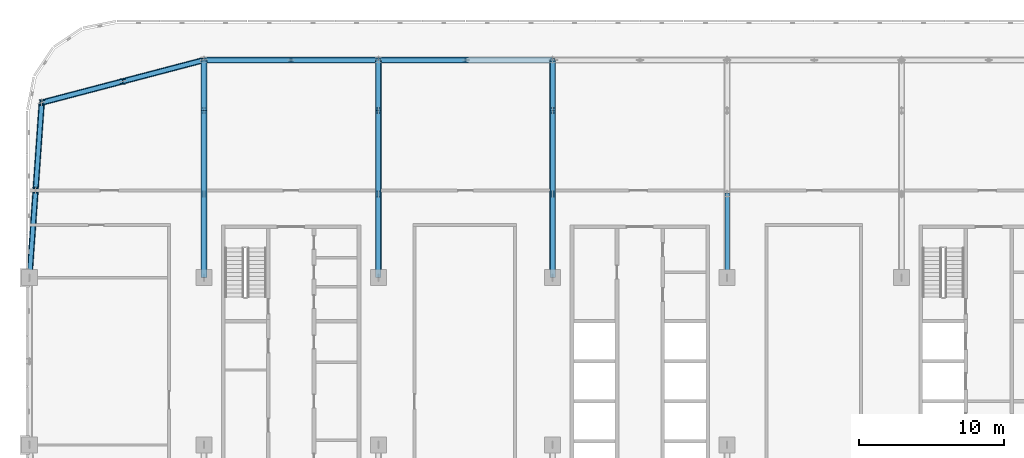
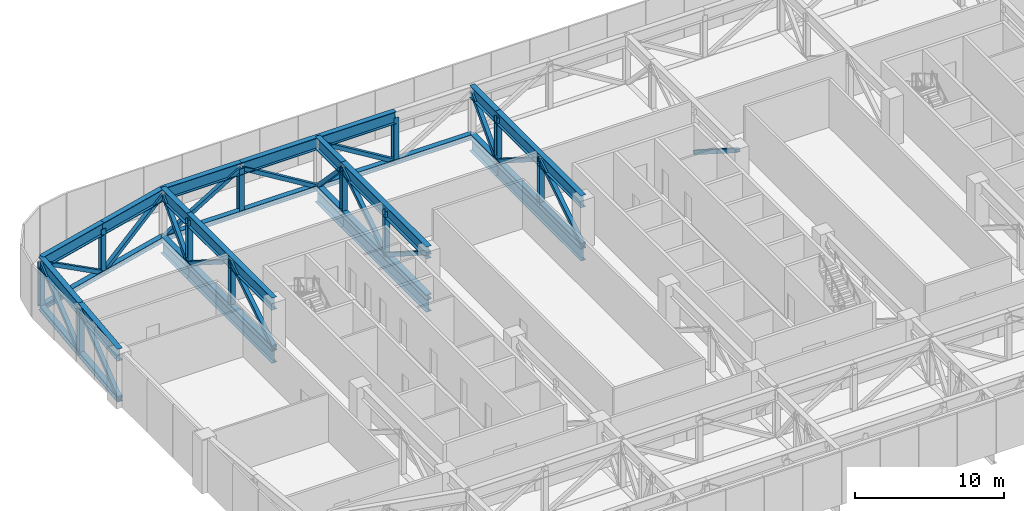
# One storey, part 8 of 28: 52 members, 6 beams.
"""IFC4 building model written with IfcOpenShell, lengths in metres."""

from ifc_helpers import new_model, si_unit, direction, frame, origin, origin_2d, place, context, subcontext, project, spatial, hollow_rectangle, i_section, extrude, material, material_profile, profile_set, type_object, element, save


model = new_model("IFC4")

# Units and contexts
model_context = context("Model", 3, precision=1e-05, world=origin(), true_north=direction((0.0, 1.0)))
body_context = subcontext(model_context, "Body", "Model", "MODEL_VIEW")
ifc_project = project(units=[si_unit("LENGTHUNIT", "METRE"), si_unit("AREAUNIT", "SQUARE_METRE"), si_unit("VOLUMEUNIT", "CUBIC_METRE"), si_unit("PLANEANGLEUNIT", "RADIAN"), si_unit("MASSUNIT", "GRAM", prefix="KILO")], contexts=[model_context])

# Site, building, storey
site_placement = place(None, origin())
site = spatial("IfcSite", under=ifc_project, at=site_placement, CompositionType="ELEMENT")
building_placement = place(site_placement, origin())
building = spatial("IfcBuilding", under=site, at=building_placement, Name="Mahtab Terrace Research Tower", CompositionType="ELEMENT")
storey_placement = place(building_placement, frame((0.0, 0.0, 224.300048828125)))
storey = spatial("IfcBuildingStorey", under=building, at=storey_placement, Name="L54", CompositionType="ELEMENT", Elevation=224.300048828125)

# Members
ifc_material_1 = material(Name="Steel ASTM A500 Gr C", Category="steel")
ifc_material_profile_1 = material_profile(ifc_material_1, hollow_rectangle(XDim=0.3046875, YDim=0.3046875, WallThickness=0.0126953125, at=origin_2d()), Name="HSS12X12X1/2")
ifc_profile_set_1 = profile_set([ifc_material_profile_1], Name="Steel ASTM A500 Gr C")
member_type_1 = type_object("IfcMemberType", Name="HSS 12x12x1/2 brace TD121212", PredefinedType="BRACE", material=ifc_profile_set_1)
for number, where, z_axis, x_axis, name in (
    (1, (-42.0, 11.5, -0.18798828125), (0.059979554478, 0.853834742624, 0.517077059376), (-0.997541755211, 0.070074578913, 0.0), "Transfer truss T6 diagonal 004"),
    (2, (-41.576904296875, 17.52294921875, -0.18798828125), (0.059945068637, 0.8538365146, 0.517078132473), (-0.997544580937, 0.07003434188, 0.0), "Transfer truss T6 diagonal 006"),
):
    element("IfcMember", number, at=place(storey_placement, frame(where, z_axis=z_axis, x_axis=x_axis)), inside=storey, type_object=member_type_1, Name=name, PredefinedType="BRACE", context=body_context, shape_type="SweptSolid", body=[
        extrude(hollow_rectangle(XDim=0.3046875, YDim=0.3046875, WallThickness=0.0126953125, at=origin_2d()), origin(), (0.0, 0.0, 1.0), 7.053955078125),
    ])
member_1_placement = place(storey_placement, frame((-35.576904296875, 25.009033203125, -0.18798828125), z_axis=(-0.817439342665, -0.214450795859, 0.534606188908), x_axis=(0.253757500466, -0.967267869288, 0.0)))
element("IfcMember", 3, at=member_1_placement, inside=storey, type_object=member_type_1, Name="Transfer truss T6 diagonal 009", PredefinedType="BRACE", context=body_context, shape_type="SweptSolid", body=[
    extrude(hollow_rectangle(XDim=0.3046875, YDim=0.3046875, WallThickness=0.0126953125, at=origin_2d()), origin(), (0.0, 0.0, 1.0), 6.82275390625),
])
for number, where, z_axis, x_axis, name in (
    (4, (-30.0, 11.5, -0.18798828125), (0.0, 0.844434215401, 0.535659272168), (-1.0, 0.0, 0.0), "Transfer truss T6 diagonal 023"),
    (5, (-30.0, 23.0, -0.18798828125), (0.0, -0.844434215401, 0.535659272168), (1.0, 0.0, 0.0), "Transfer truss T6 diagonal 024"),
):
    element("IfcMember", number, at=place(storey_placement, frame(where, z_axis=z_axis, x_axis=x_axis)), inside=storey, type_object=member_type_1, Name=name, PredefinedType="BRACE", context=body_context, shape_type="SweptSolid", body=[
        extrude(hollow_rectangle(XDim=0.3046875, YDim=0.3046875, WallThickness=0.0126953125, at=origin_2d()), origin(), (0.0, 0.0, 1.0), 6.809326171875),
    ])
member_2_placement = place(storey_placement, frame((-30.0, 23.0, -0.18798828125), z_axis=(0.0, 0.689564383455, 0.724224385857), x_axis=(-1.0, 0.0, 0.0)))
element("IfcMember", 6, at=member_2_placement, inside=storey, type_object=member_type_1, Name="Transfer truss T6 diagonal 025", PredefinedType="BRACE", context=body_context, shape_type="SweptSolid", body=[
    extrude(hollow_rectangle(XDim=0.3046875, YDim=0.3046875, WallThickness=0.0126953125, at=origin_2d()), origin(), (0.0, 0.0, 1.0), 5.036376953125),
])
member_3_placement = place(storey_placement, frame((-35.576904296875, 25.009033203125, -0.18798828125), z_axis=(0.817408645906, 0.214559481717, 0.534609515818), x_axis=(-0.25388673963, 0.967233954863, 0.0)))
element("IfcMember", 7, at=member_3_placement, inside=storey, type_object=member_type_1, Name="Transfer truss T6 diagonal 026", PredefinedType="BRACE", context=body_context, shape_type="SweptSolid", body=[
    extrude(hollow_rectangle(XDim=0.3046875, YDim=0.3046875, WallThickness=0.0126953125, at=origin_2d()), origin(), (0.0, 0.0, 1.0), 6.82275390625),
])
member_4_placement = place(storey_placement, frame((-30.0, 26.472900390625, -0.18798828125), z_axis=(0.854496522168, 0.0, 0.519457114306), x_axis=(0.0, 1.0, 0.0)))
element("IfcMember", 8, at=member_4_placement, inside=storey, type_object=member_type_1, Name="Transfer truss T6 diagonal 030", PredefinedType="BRACE", context=body_context, shape_type="SweptSolid", body=[
    extrude(hollow_rectangle(XDim=0.3046875, YDim=0.3046875, WallThickness=0.0126953125, at=origin_2d()), origin(), (0.0, 0.0, 1.0), 7.021728515625),
])
for number, where, z_axis, x_axis, name in (
    (9, (-18.0, 17.25, -0.18798828125), (0.0, -0.844434215401, 0.535659272168), (1.0, 0.0, 0.0), "Transfer truss T6 diagonal 042"),
    (10, (-18.0, 17.25, -0.18798828125), (0.0, 0.844434215401, 0.535659272168), (-1.0, 0.0, 0.0), "Transfer truss T6 diagonal 043"),
):
    element("IfcMember", number, at=place(storey_placement, frame(where, z_axis=z_axis, x_axis=x_axis)), inside=storey, type_object=member_type_1, Name=name, PredefinedType="BRACE", context=body_context, shape_type="SweptSolid", body=[
        extrude(hollow_rectangle(XDim=0.3046875, YDim=0.3046875, WallThickness=0.0126953125, at=origin_2d()), origin(), (0.0, 0.0, 1.0), 6.809326171875),
    ])
member_5_placement = place(storey_placement, frame((-18.0, 26.472900390625, -0.18798828125), z_axis=(0.0, -0.689564383455, 0.724224385857), x_axis=(1.0, 0.0, 0.0)))
element("IfcMember", 11, at=member_5_placement, inside=storey, type_object=member_type_1, Name="Transfer truss T6 diagonal 044", PredefinedType="BRACE", context=body_context, shape_type="SweptSolid", body=[
    extrude(hollow_rectangle(XDim=0.3046875, YDim=0.3046875, WallThickness=0.0126953125, at=origin_2d()), origin(), (0.0, 0.0, 1.0), 5.036376953125),
])
for number, where, z_axis, x_axis, name in (
    (12, (-18.0, 26.472900390625, -0.18798828125), (-0.854496522168, 0.0, 0.519457114306), (0.0, -1.0, 0.0), "Transfer truss T6 diagonal 045"),
    (13, (-12.0, 26.472900390625, -0.18798828125), (-0.854496522168, 0.0, 0.519457114306), (0.0, -1.0, 0.0), "Transfer truss T6 diagonal 049"),
):
    element("IfcMember", number, at=place(storey_placement, frame(where, z_axis=z_axis, x_axis=x_axis)), inside=storey, type_object=member_type_1, Name=name, PredefinedType="BRACE", context=body_context, shape_type="SweptSolid", body=[
        extrude(hollow_rectangle(XDim=0.3046875, YDim=0.3046875, WallThickness=0.0126953125, at=origin_2d()), origin(), (0.0, 0.0, 1.0), 7.021728515625),
    ])
for number, where, z_axis, x_axis, name in (
    (14, (-6.0, 11.5, -0.18798828125), (0.0, 0.844434215401, 0.535659272168), (-1.0, 0.0, 0.0), "Transfer truss T6 diagonal 061"),
    (15, (-6.0, 23.0, -0.18798828125), (0.0, -0.844434215401, 0.535659272168), (1.0, 0.0, 0.0), "Transfer truss T6 diagonal 062"),
):
    element("IfcMember", number, at=place(storey_placement, frame(where, z_axis=z_axis, x_axis=x_axis)), inside=storey, type_object=member_type_1, Name=name, PredefinedType="BRACE", context=body_context, shape_type="SweptSolid", body=[
        extrude(hollow_rectangle(XDim=0.3046875, YDim=0.3046875, WallThickness=0.0126953125, at=origin_2d()), origin(), (0.0, 0.0, 1.0), 6.809326171875),
    ])
member_6_placement = place(storey_placement, frame((-6.0, 23.0, -0.18798828125), z_axis=(0.0, 0.689564383455, 0.724224385857), x_axis=(-1.0, 0.0, 0.0)))
element("IfcMember", 16, at=member_6_placement, inside=storey, type_object=member_type_1, Name="Transfer truss T6 diagonal 063", PredefinedType="BRACE", context=body_context, shape_type="SweptSolid", body=[
    extrude(hollow_rectangle(XDim=0.3046875, YDim=0.3046875, WallThickness=0.0126953125, at=origin_2d()), origin(), (0.0, 0.0, 1.0), 5.036376953125),
])
member_7_placement = place(storey_placement, frame((6.0, 17.25, -0.18798828125), z_axis=(0.0, -0.844434215401, 0.535659272168), x_axis=(1.0, 0.0, 0.0)))
element("IfcMember", 17, at=member_7_placement, inside=storey, type_object=member_type_1, Name="Transfer truss T6 diagonal 080", PredefinedType="BRACE", context=body_context, shape_type="SweptSolid", body=[
    extrude(hollow_rectangle(XDim=0.3046875, YDim=0.3046875, WallThickness=0.0126953125, at=origin_2d()), origin(), (0.0, 0.0, 1.0), 6.809326171875),
])
ifc_material_2 = material(Name="Steel ASTM A992 Gr 50", Category="steel")
ifc_material_profile_2 = material_profile(ifc_material_2, i_section(OverallWidth=0.373291015625, OverallDepth=0.373291015625, WebThickness=0.016357421875, FlangeThickness=0.026123046875, at=origin_2d()), Name="W14X132")
ifc_profile_set_2 = profile_set([ifc_material_profile_2], Name="Steel ASTM A992 Gr 50")
member_type_2 = type_object("IfcMemberType", Name="W14x132 post TP14132", PredefinedType="POST", material=ifc_profile_set_2)
for number, where, z_axis, x_axis, name in (
    (18, (-41.580078125, 17.52001953125, -0.18798828125), (0.0, 0.0, 1.0), (1.0, 0.0, 0.0), "Transfer truss T6 post 004"),
    (19, (-41.14990234375, 23.550048828125, -0.18798828125), (0.0, 0.0, 1.0), (1.0, 0.0, 0.0), "Transfer truss T6 post 006"),
    (20, (-35.580078125, 25.010009765625, -0.18798828125), (0.0, 0.0, 1.0), (1.0, 0.0, 0.0), "Transfer truss T6 post 009"),
    (21, (-30.0, 17.25, -0.18798828125), (0.0, 0.0, 1.0), (1.0, 0.0, 0.0), "Transfer truss T6 post 022"),
    (22, (-30.0, 23.0, -0.18798828125), (0.0, 0.0, 1.0), (1.0, 0.0, 0.0), "Transfer truss T6 post 023"),
    (23, (-24.0, 26.469970703125, -0.18798828125), (0.0, 0.0, 1.0), (1.0, 0.0, 0.0), "Transfer truss T6 post 028"),
    (24, (-18.0, 17.25, -0.18798828125), (0.0, 0.0, 1.0), (1.0, 0.0, 0.0), "Transfer truss T6 post 039"),
    (25, (-18.0, 23.0, -0.18798828125), (0.0, 0.0, 1.0), (1.0, 0.0, 0.0), "Transfer truss T6 post 040"),
    (26, (-12.0, 26.469970703125, -0.18798828125), (0.0, 0.0, 1.0), (1.0, 0.0, 0.0), "Transfer truss T6 post 045"),
    (27, (-6.0, 17.25, -0.18798828125), (0.0, 0.0, 1.0), (1.0, 0.0, 0.0), "Transfer truss T6 post 056"),
    (28, (-6.0, 23.0, -0.18798828125), (0.0, 0.0, 1.0), (1.0, 0.0, 0.0), "Transfer truss T6 post 057"),
):
    element("IfcMember", number, at=place(storey_placement, frame(where, z_axis=z_axis, x_axis=x_axis)), inside=storey, type_object=member_type_2, Name=name, PredefinedType="POST", context=body_context, shape_type="SweptSolid", body=[
        extrude(i_section(OverallWidth=0.373291015625, OverallDepth=0.373291015625, WebThickness=0.016357421875, FlangeThickness=0.026123046875, at=origin_2d()), origin(), (0.0, 0.0, 1.0), 3.6474609375),
    ])
ifc_material_profile_3 = material_profile(ifc_material_2, i_section(OverallWidth=0.408935546875, OverallDepth=0.42431640625, WebThickness=0.03271484375, FlangeThickness=0.052490234375, at=origin_2d()), Name="W14X283")
ifc_profile_set_3 = profile_set([ifc_material_profile_3], Name="Steel ASTM A992 Gr 50")
member_type_3 = type_object("IfcMemberType", Name="W14x283 chord TC14283", PredefinedType="CHORD", material=ifc_profile_set_3)
for number, where, z_axis, x_axis, name in (
    (29, (-41.154052734375, 23.5458984375, -0.18798828125), (-0.07003434188, -0.997544580937, 0.0), (0.997544580937, -0.07003434188, 0.0), "Transfer truss T6 bottom chord 003"),
    (30, (-41.576904296875, 17.52294921875, -0.18798828125), (-0.070074578913, -0.997541755211, 0.0), (0.997541755211, -0.070074578913, 0.0), "Transfer truss T6 bottom chord 004"),
):
    element("IfcMember", number, at=place(storey_placement, frame(where, z_axis=z_axis, x_axis=x_axis)), inside=storey, type_object=member_type_3, Name=name, PredefinedType="CHORD", context=body_context, shape_type="SweptSolid", body=[
        extrude(i_section(OverallWidth=0.408935546875, OverallDepth=0.42431640625, WebThickness=0.03271484375, FlangeThickness=0.052490234375, at=origin_2d()), origin(), (0.0, 0.0, 1.0), 6.037841796875),
    ])
member_8_placement = place(storey_placement, frame((-30.0, 26.472900390625, -0.18798828125), z_axis=(-0.967250914308, -0.253822120333, 0.0), x_axis=(0.253822120333, -0.967250914308, 0.0)))
element("IfcMember", 31, at=member_8_placement, inside=storey, type_object=member_type_3, Name="Transfer truss T6 bottom chord 005", PredefinedType="CHORD", context=body_context, shape_type="SweptSolid", body=[
    extrude(i_section(OverallWidth=0.408935546875, OverallDepth=0.42431640625, WebThickness=0.03271484375, FlangeThickness=0.052490234375, at=origin_2d()), origin(), (0.0, 0.0, 1.0), 11.53173828125),
])
member_9_placement = place(storey_placement, frame((-30.0, 11.5, -0.18798828125), z_axis=(0.0, 1.0, 0.0), x_axis=(-1.0, 0.0, 0.0)))
element("IfcMember", 32, at=member_9_placement, inside=storey, type_object=member_type_3, Name="Transfer truss T6 bottom chord 031", PredefinedType="CHORD", context=body_context, shape_type="SweptSolid", body=[
    extrude(i_section(OverallWidth=0.408935546875, OverallDepth=0.42431640625, WebThickness=0.03271484375, FlangeThickness=0.052490234375, at=origin_2d()), origin(), (0.0, 0.0, 1.0), 11.5),
])
member_10_placement = place(storey_placement, frame((-30.0, 23.0, -0.18798828125), z_axis=(0.0, 1.0, 0.0), x_axis=(-1.0, 0.0, 0.0)))
element("IfcMember", 33, at=member_10_placement, inside=storey, type_object=member_type_3, Name="Transfer truss T6 bottom chord 032", PredefinedType="CHORD", context=body_context, shape_type="SweptSolid", body=[
    extrude(i_section(OverallWidth=0.408935546875, OverallDepth=0.42431640625, WebThickness=0.03271484375, FlangeThickness=0.052490234375, at=origin_2d()), origin(), (0.0, 0.0, 1.0), 3.472900390625),
])
for number, where, z_axis, x_axis, name in (
    (34, (-6.0, 26.472900390625, -0.18798828125), (-1.0, 0.0, 0.0), (0.0, -1.0, 0.0), "Transfer truss T6 bottom chord 037"),
    (35, (-18.0, 26.472900390625, -0.18798828125), (-1.0, 0.0, 0.0), (0.0, -1.0, 0.0), "Transfer truss T6 bottom chord 038"),
):
    element("IfcMember", number, at=place(storey_placement, frame(where, z_axis=z_axis, x_axis=x_axis)), inside=storey, type_object=member_type_3, Name=name, PredefinedType="CHORD", context=body_context, shape_type="SweptSolid", body=[
        extrude(i_section(OverallWidth=0.408935546875, OverallDepth=0.42431640625, WebThickness=0.03271484375, FlangeThickness=0.052490234375, at=origin_2d()), origin(), (0.0, 0.0, 1.0), 12.0),
    ])
member_11_placement = place(storey_placement, frame((-18.0, 11.5, -0.18798828125), z_axis=(0.0, 1.0, 0.0), x_axis=(-1.0, 0.0, 0.0)))
element("IfcMember", 36, at=member_11_placement, inside=storey, type_object=member_type_3, Name="Transfer truss T6 bottom chord 042", PredefinedType="CHORD", context=body_context, shape_type="SweptSolid", body=[
    extrude(i_section(OverallWidth=0.408935546875, OverallDepth=0.42431640625, WebThickness=0.03271484375, FlangeThickness=0.052490234375, at=origin_2d()), origin(), (0.0, 0.0, 1.0), 11.5),
])
member_12_placement = place(storey_placement, frame((-18.0, 23.0, -0.18798828125), z_axis=(0.0, 1.0, 0.0), x_axis=(-1.0, 0.0, 0.0)))
element("IfcMember", 37, at=member_12_placement, inside=storey, type_object=member_type_3, Name="Transfer truss T6 bottom chord 043", PredefinedType="CHORD", context=body_context, shape_type="SweptSolid", body=[
    extrude(i_section(OverallWidth=0.408935546875, OverallDepth=0.42431640625, WebThickness=0.03271484375, FlangeThickness=0.052490234375, at=origin_2d()), origin(), (0.0, 0.0, 1.0), 3.472900390625),
])
member_13_placement = place(storey_placement, frame((-6.0, 11.5, -0.18798828125), z_axis=(0.0, 1.0, 0.0), x_axis=(-1.0, 0.0, 0.0)))
element("IfcMember", 38, at=member_13_placement, inside=storey, type_object=member_type_3, Name="Transfer truss T6 bottom chord 047", PredefinedType="CHORD", context=body_context, shape_type="SweptSolid", body=[
    extrude(i_section(OverallWidth=0.408935546875, OverallDepth=0.42431640625, WebThickness=0.03271484375, FlangeThickness=0.052490234375, at=origin_2d()), origin(), (0.0, 0.0, 1.0), 11.5),
])
member_14_placement = place(storey_placement, frame((-6.0, 23.0, -0.18798828125), z_axis=(0.0, 1.0, 0.0), x_axis=(-1.0, 0.0, 0.0)))
element("IfcMember", 39, at=member_14_placement, inside=storey, type_object=member_type_3, Name="Transfer truss T6 bottom chord 048", PredefinedType="CHORD", context=body_context, shape_type="SweptSolid", body=[
    extrude(i_section(OverallWidth=0.408935546875, OverallDepth=0.42431640625, WebThickness=0.03271484375, FlangeThickness=0.052490234375, at=origin_2d()), origin(), (0.0, 0.0, 1.0), 3.472900390625),
])
ifc_material_profile_4 = material_profile(ifc_material_2, i_section(OverallWidth=0.4013671875, OverallDepth=1.000732421875, WebThickness=0.01904296875, FlangeThickness=0.0361328125, at=origin_2d()), Name="W40X249")
ifc_profile_set_4 = profile_set([ifc_material_profile_4], Name="Steel ASTM A992 Gr 50")
member_type_4 = type_object("IfcMemberType", Name="W40x249 chord TT40249", PredefinedType="CHORD", material=ifc_profile_set_4)
for number, where, z_axis, x_axis, name in (
    (40, (-41.154052734375, 23.5458984375, 3.45947265625), (-0.07003434188, -0.997544580937, 0.0), (0.997544580937, -0.07003434188, 0.0), "Transfer truss T6 top chord 004"),
    (41, (-41.576904296875, 17.52294921875, 3.45947265625), (-0.070074578913, -0.997541755211, 0.0), (0.997541755211, -0.070074578913, 0.0), "Transfer truss T6 top chord 005"),
):
    element("IfcMember", number, at=place(storey_placement, frame(where, z_axis=z_axis, x_axis=x_axis)), inside=storey, type_object=member_type_4, Name=name, PredefinedType="CHORD", context=body_context, shape_type="SweptSolid", body=[
        extrude(i_section(OverallWidth=0.4013671875, OverallDepth=1.000732421875, WebThickness=0.01904296875, FlangeThickness=0.0361328125, at=origin_2d()), origin(), (0.0, 0.0, 1.0), 6.037841796875),
    ])
for number, where, z_axis, x_axis, name in (
    (42, (-30.0, 26.472900390625, 3.45947265625), (-0.967233954863, -0.25388673963, 0.0), (0.25388673963, -0.967233954863, 0.0), "Transfer truss T6 top chord 006"),
    (43, (-35.576904296875, 25.009033203125, 3.45947265625), (-0.967267869288, -0.253757500466, 0.0), (0.253757500466, -0.967267869288, 0.0), "Transfer truss T6 top chord 007"),
):
    element("IfcMember", number, at=place(storey_placement, frame(where, z_axis=z_axis, x_axis=x_axis)), inside=storey, type_object=member_type_4, Name=name, PredefinedType="CHORD", context=body_context, shape_type="SweptSolid", body=[
        extrude(i_section(OverallWidth=0.4013671875, OverallDepth=1.000732421875, WebThickness=0.01904296875, FlangeThickness=0.0361328125, at=origin_2d()), origin(), (0.0, 0.0, 1.0), 5.765869140625),
    ])
member_15_placement = place(storey_placement, frame((-30.0, 11.5, 3.45947265625), z_axis=(0.0, 1.0, 0.0), x_axis=(-1.0, 0.0, 0.0)))
element("IfcMember", 44, at=member_15_placement, inside=storey, type_object=member_type_4, Name="Transfer truss T6 top chord 048", PredefinedType="CHORD", context=body_context, shape_type="SweptSolid", body=[
    extrude(i_section(OverallWidth=0.4013671875, OverallDepth=1.000732421875, WebThickness=0.01904296875, FlangeThickness=0.0361328125, at=origin_2d()), origin(), (0.0, 0.0, 1.0), 11.5),
])
member_16_placement = place(storey_placement, frame((-30.0, 23.0, 3.45947265625), z_axis=(0.0, 1.0, 0.0), x_axis=(-1.0, 0.0, 0.0)))
element("IfcMember", 45, at=member_16_placement, inside=storey, type_object=member_type_4, Name="Transfer truss T6 top chord 049", PredefinedType="CHORD", context=body_context, shape_type="SweptSolid", body=[
    extrude(i_section(OverallWidth=0.4013671875, OverallDepth=1.000732421875, WebThickness=0.01904296875, FlangeThickness=0.0361328125, at=origin_2d()), origin(), (0.0, 0.0, 1.0), 3.472900390625),
])
for number, where, z_axis, x_axis, name in (
    (46, (-12.0, 26.472900390625, 3.45947265625), (-1.0, 0.0, 0.0), (0.0, -1.0, 0.0), "Transfer truss T6 top chord 059"),
    (47, (-18.0, 26.472900390625, 3.45947265625), (-1.0, 0.0, 0.0), (0.0, -1.0, 0.0), "Transfer truss T6 top chord 060"),
    (48, (-24.0, 26.472900390625, 3.45947265625), (-1.0, 0.0, 0.0), (0.0, -1.0, 0.0), "Transfer truss T6 top chord 061"),
):
    element("IfcMember", number, at=place(storey_placement, frame(where, z_axis=z_axis, x_axis=x_axis)), inside=storey, type_object=member_type_4, Name=name, PredefinedType="CHORD", context=body_context, shape_type="SweptSolid", body=[
        extrude(i_section(OverallWidth=0.4013671875, OverallDepth=1.000732421875, WebThickness=0.01904296875, FlangeThickness=0.0361328125, at=origin_2d()), origin(), (0.0, 0.0, 1.0), 6.0),
    ])
member_17_placement = place(storey_placement, frame((-18.0, 11.5, 3.45947265625), z_axis=(0.0, 1.0, 0.0), x_axis=(-1.0, 0.0, 0.0)))
element("IfcMember", 49, at=member_17_placement, inside=storey, type_object=member_type_4, Name="Transfer truss T6 top chord 065", PredefinedType="CHORD", context=body_context, shape_type="SweptSolid", body=[
    extrude(i_section(OverallWidth=0.4013671875, OverallDepth=1.000732421875, WebThickness=0.01904296875, FlangeThickness=0.0361328125, at=origin_2d()), origin(), (0.0, 0.0, 1.0), 11.5),
])
member_18_placement = place(storey_placement, frame((-18.0, 23.0, 3.45947265625), z_axis=(0.0, 1.0, 0.0), x_axis=(-1.0, 0.0, 0.0)))
element("IfcMember", 50, at=member_18_placement, inside=storey, type_object=member_type_4, Name="Transfer truss T6 top chord 066", PredefinedType="CHORD", context=body_context, shape_type="SweptSolid", body=[
    extrude(i_section(OverallWidth=0.4013671875, OverallDepth=1.000732421875, WebThickness=0.01904296875, FlangeThickness=0.0361328125, at=origin_2d()), origin(), (0.0, 0.0, 1.0), 3.472900390625),
])
member_19_placement = place(storey_placement, frame((-6.0, 11.5, 3.45947265625), z_axis=(0.0, 1.0, 0.0), x_axis=(-1.0, 0.0, 0.0)))
element("IfcMember", 51, at=member_19_placement, inside=storey, type_object=member_type_4, Name="Transfer truss T6 top chord 070", PredefinedType="CHORD", context=body_context, shape_type="SweptSolid", body=[
    extrude(i_section(OverallWidth=0.4013671875, OverallDepth=1.000732421875, WebThickness=0.01904296875, FlangeThickness=0.0361328125, at=origin_2d()), origin(), (0.0, 0.0, 1.0), 11.5),
])
member_20_placement = place(storey_placement, frame((-6.0, 23.0, 3.45947265625), z_axis=(0.0, 1.0, 0.0), x_axis=(-1.0, 0.0, 0.0)))
element("IfcMember", 52, at=member_20_placement, inside=storey, type_object=member_type_4, Name="Transfer truss T6 top chord 071", PredefinedType="CHORD", context=body_context, shape_type="SweptSolid", body=[
    extrude(i_section(OverallWidth=0.4013671875, OverallDepth=1.000732421875, WebThickness=0.01904296875, FlangeThickness=0.0361328125, at=origin_2d()), origin(), (0.0, 0.0, 1.0), 3.472900390625),
])

# Beams
ifc_material_profile_5 = material_profile(ifc_material_2, i_section(OverallWidth=0.4013671875, OverallDepth=1.000732421875, WebThickness=0.01904296875, FlangeThickness=0.0361328125, at=origin_2d()), Name="W40X249")
ifc_profile_set_5 = profile_set([ifc_material_profile_5], Name="Steel ASTM A992 Gr 50")
beam_type = type_object("IfcBeamType", Name="W40x249 transfer girder TG40249", PredefinedType="BEAM", material=ifc_profile_set_5)
beam_1_placement = place(storey_placement, frame((-6.0, 11.5, -0.8984375), z_axis=(0.0, 1.0, 0.0), x_axis=(-1.0, 0.0, 0.0)))
element("IfcBeam", 53, at=beam_1_placement, inside=storey, type_object=beam_type, Name="Transfer girder T6 09", PredefinedType="BEAM", context=body_context, shape_type="SweptSolid", body=[
    extrude(i_section(OverallWidth=0.4013671875, OverallDepth=1.000732421875, WebThickness=0.01904296875, FlangeThickness=0.0361328125, at=origin_2d()), origin(), (0.0, 0.0, 1.0), 11.5),
])
beam_2_placement = place(storey_placement, frame((-6.0, 23.0, -0.8984375), z_axis=(0.0, 1.0, 0.0), x_axis=(-1.0, 0.0, 0.0)))
element("IfcBeam", 54, at=beam_2_placement, inside=storey, type_object=beam_type, Name="Transfer girder T6 10", PredefinedType="BEAM", context=body_context, shape_type="SweptSolid", body=[
    extrude(i_section(OverallWidth=0.4013671875, OverallDepth=1.000732421875, WebThickness=0.01904296875, FlangeThickness=0.0361328125, at=origin_2d()), origin(), (0.0, 0.0, 1.0), 3.472900390625),
])
beam_3_placement = place(storey_placement, frame((-18.0, 11.5, -0.8984375), z_axis=(0.0, 1.0, 0.0), x_axis=(-1.0, 0.0, 0.0)))
element("IfcBeam", 55, at=beam_3_placement, inside=storey, type_object=beam_type, Name="Transfer girder T6 11", PredefinedType="BEAM", context=body_context, shape_type="SweptSolid", body=[
    extrude(i_section(OverallWidth=0.4013671875, OverallDepth=1.000732421875, WebThickness=0.01904296875, FlangeThickness=0.0361328125, at=origin_2d()), origin(), (0.0, 0.0, 1.0), 11.5),
])
beam_4_placement = place(storey_placement, frame((-18.0, 23.0, -0.8984375), z_axis=(0.0, 1.0, 0.0), x_axis=(-1.0, 0.0, 0.0)))
element("IfcBeam", 56, at=beam_4_placement, inside=storey, type_object=beam_type, Name="Transfer girder T6 12", PredefinedType="BEAM", context=body_context, shape_type="SweptSolid", body=[
    extrude(i_section(OverallWidth=0.4013671875, OverallDepth=1.000732421875, WebThickness=0.01904296875, FlangeThickness=0.0361328125, at=origin_2d()), origin(), (0.0, 0.0, 1.0), 3.472900390625),
])
beam_5_placement = place(storey_placement, frame((-30.0, 11.5, -0.8984375), z_axis=(0.0, 1.0, 0.0), x_axis=(-1.0, 0.0, 0.0)))
element("IfcBeam", 57, at=beam_5_placement, inside=storey, type_object=beam_type, Name="Transfer girder T6 13", PredefinedType="BEAM", context=body_context, shape_type="SweptSolid", body=[
    extrude(i_section(OverallWidth=0.4013671875, OverallDepth=1.000732421875, WebThickness=0.01904296875, FlangeThickness=0.0361328125, at=origin_2d()), origin(), (0.0, 0.0, 1.0), 11.5),
])
beam_6_placement = place(storey_placement, frame((-30.0, 23.0, -0.8984375), z_axis=(0.0, 1.0, 0.0), x_axis=(-1.0, 0.0, 0.0)))
element("IfcBeam", 58, at=beam_6_placement, inside=storey, type_object=beam_type, Name="Transfer girder T6 14", PredefinedType="BEAM", context=body_context, shape_type="SweptSolid", body=[
    extrude(i_section(OverallWidth=0.4013671875, OverallDepth=1.000732421875, WebThickness=0.01904296875, FlangeThickness=0.0361328125, at=origin_2d()), origin(), (0.0, 0.0, 1.0), 3.472900390625),
])

save(model, "model.ifc")
